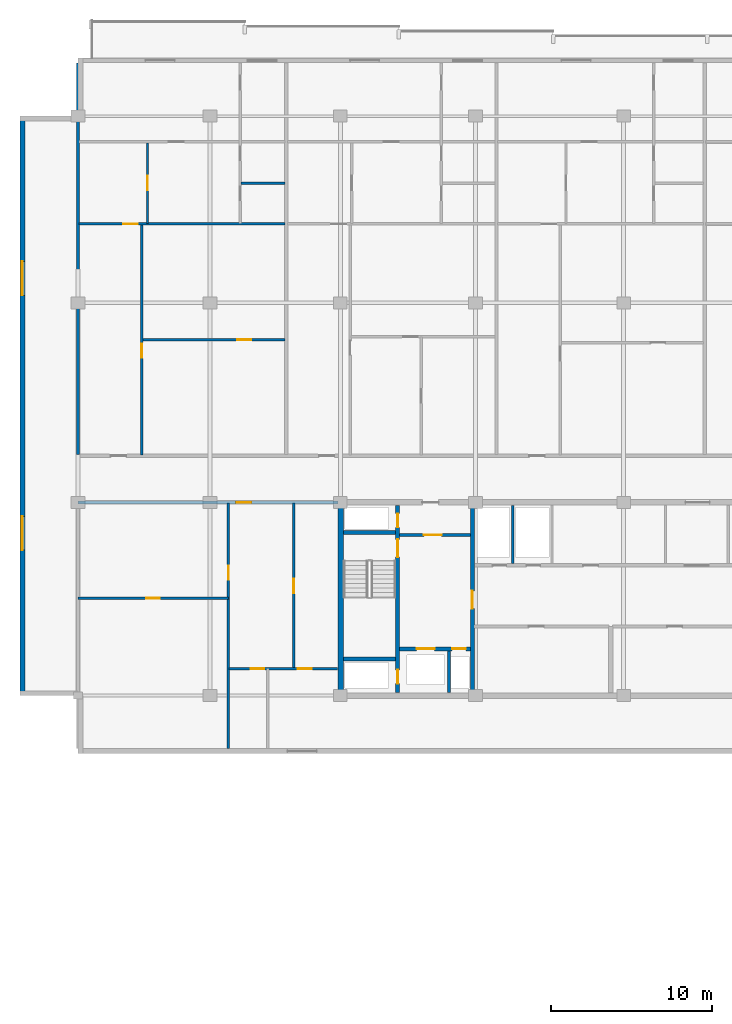
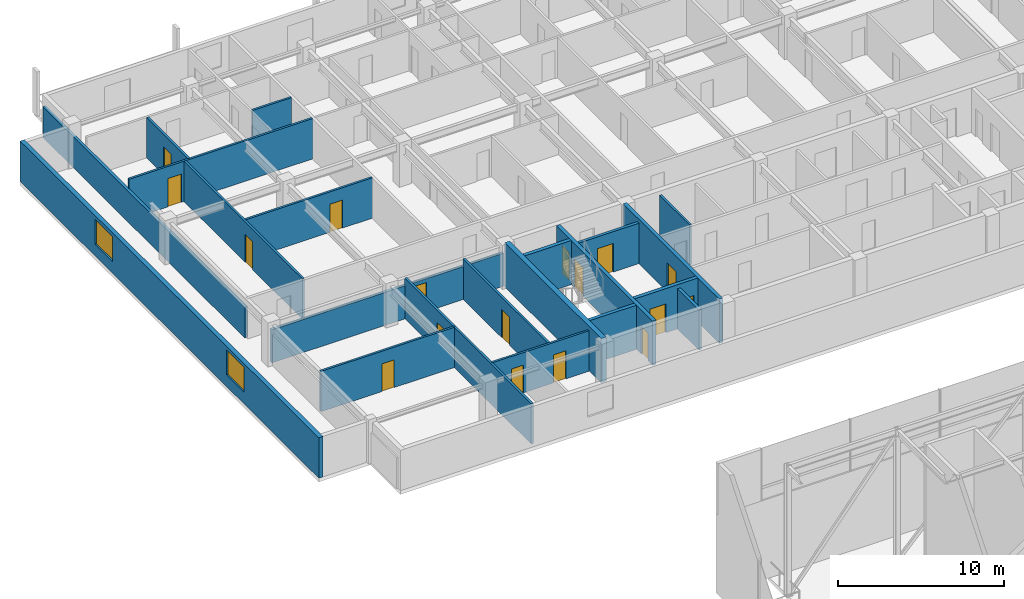
# One storey, part 34 of 42: 21 walls, 17 doors, 2 windows, 19 openings.
"""IFC4 building model written with IfcOpenShell, lengths in metres."""

from ifc_helpers import new_model, si_unit, direction, frame, frame_2d, origin, place, context, subcontext, project, spatial, rectangle, extrude, material, layer, layer_set, type_object, element, fill, save


model = new_model("IFC4")

# Units and contexts
model_context = context("Model", 3, precision=1e-05, world=origin(), true_north=direction((0.0, 1.0)))
body_context = subcontext(model_context, "Body", "Model", "MODEL_VIEW")
ifc_project = project(units=[si_unit("LENGTHUNIT", "METRE"), si_unit("AREAUNIT", "SQUARE_METRE"), si_unit("VOLUMEUNIT", "CUBIC_METRE"), si_unit("PLANEANGLEUNIT", "RADIAN"), si_unit("MASSUNIT", "GRAM", prefix="KILO")], contexts=[model_context])

# Site, building, storey
site_placement = place(None, origin())
site = spatial("IfcSite", under=ifc_project, at=site_placement, CompositionType="ELEMENT")
building_placement = place(site_placement, origin())
building = spatial("IfcBuilding", under=site, at=building_placement, Name="Korimba Cascade Residences", CompositionType="ELEMENT")
storey_placement = place(building_placement, frame((0.0, 0.0, 207.60009765625)))
storey = spatial("IfcBuildingStorey", under=building, at=storey_placement, Name="L60", CompositionType="ELEMENT", Elevation=207.60009765625)

# Wall, openings, windows
ifc_material_1 = material(Name="Precast concrete C40/50", Category="concrete")
ifc_layer_1 = layer(ifc_material_1, 0.300048828125)
ifc_layer_set_1 = layer_set([ifc_layer_1], Name="Precast concrete C40/50")
wall_type_1 = type_object("IfcWallType", Name="EW-STONE-300", PredefinedType="STANDARD", material=ifc_layer_set_1)
wall_1_placement = place(storey_placement, frame((56.35009765625, 91.199951171875, 0.0), z_axis=(0.0, 0.0, 1.0), x_axis=(0.0, -1.0, 0.0)))
wall_1 = element("IfcWall", 1, at=wall_1_placement, inside=storey, type_object=wall_type_1, Name="L60 T1 Perimeter Stone Wall E09", PredefinedType="STANDARD", context=body_context, shape_type="SweptSolid", body=[
    extrude(rectangle(XDim=36.0, YDim=0.300048828125, at=frame_2d((18.0, 0.0))), origin(), (0.0, 0.0, 1.0), 2.969970703125),
])
opening_1_placement = place(wall_1_placement, frame((9.030029296875, 0.0, 0.85009765625)))
opening_1 = element("IfcOpeningElement", 2, at=opening_1_placement, cuts=wall_1, Name="Opening W-03", PredefinedType="OPENING", context=body_context, shape_type="SweptSolid", body=[
    extrude(rectangle(XDim=2.10009765625, YDim=1.85009765625, at=frame_2d((1.050048828125, 0.925048828125))), frame((0.0, 0.16015625, 0.0), z_axis=(0.0, -1.0, 0.0), x_axis=(1.0, 0.0, 0.0)), (0.0, 0.0, 1.0), 0.320068359375),
])
opening_2_placement = place(wall_1_placement, frame((24.8701171875, 0.0, 0.85009765625)))
opening_2 = element("IfcOpeningElement", 3, at=opening_2_placement, cuts=wall_1, Name="Opening W-03", PredefinedType="OPENING", context=body_context, shape_type="SweptSolid", body=[
    extrude(rectangle(XDim=2.10009765625, YDim=1.85009765625, at=frame_2d((1.050048828125, 0.925048828125))), frame((0.0, 0.16015625, 0.0), z_axis=(0.0, -1.0, 0.0), x_axis=(1.0, 0.0, 0.0)), (0.0, 0.0, 1.0), 0.320068359375),
])
ifc_material_2 = material(Name="Double-Glazed Aluminium Window", Category="aluminium")
window_type = type_object("IfcWindowType", Name="WIN-CRN-2100", PartitioningType="DOUBLE_PANEL_HORIZONTAL", PredefinedType="WINDOW", material=ifc_material_2)
window_1_placement = place(opening_1_placement, origin())
window_1 = element("IfcWindow", 4, at=window_1_placement, inside=storey, type_object=window_type, Name="L60 T1 End View Window 9.1", OverallHeight=1.85009765625, OverallWidth=2.10009765625, PartitioningType="DOUBLE_PANEL_HORIZONTAL", PredefinedType="WINDOW", context=body_context, shape_type="SweptSolid", body=[
    extrude(rectangle(XDim=2.10009765625, YDim=1.85009765625, at=frame_2d((1.050048828125, 0.925048828125))), frame((0.0, 0.030029296875, 0.0), z_axis=(0.0, -1.0, 0.0), x_axis=(1.0, 0.0, 0.0)), (0.0, 0.0, 1.0), 0.06005859375),
])
fill(opening_1, window_1)
window_2_placement = place(opening_2_placement, origin())
window_2 = element("IfcWindow", 5, at=window_2_placement, inside=storey, type_object=window_type, Name="L60 T1 End View Window 9.2", OverallHeight=1.85009765625, OverallWidth=2.10009765625, PartitioningType="DOUBLE_PANEL_HORIZONTAL", PredefinedType="WINDOW", context=body_context, shape_type="SweptSolid", body=[
    extrude(rectangle(XDim=2.10009765625, YDim=1.85009765625, at=frame_2d((1.050048828125, 0.925048828125))), frame((0.0, 0.030029296875, 0.0), z_axis=(0.0, -1.0, 0.0), x_axis=(1.0, 0.0, 0.0)), (0.0, 0.0, 1.0), 0.06005859375),
])
fill(opening_2, window_2)

# Wall
ifc_material_3 = material(Name="Concrete C65/80", Category="concrete")
ifc_layer_2 = layer(ifc_material_3, 0.35009765625)
ifc_layer_set_2 = layer_set([ifc_layer_2], Name="Concrete C65/80")
wall_type_2 = type_object("IfcWallType", Name="WAL-CORE-350", PredefinedType="SHEAR", material=ifc_layer_set_2)
wall_2_placement = place(storey_placement, frame((76.125, 55.375, 0.0), z_axis=(0.0, 0.0, 1.0), x_axis=(0.0, 1.0, 0.0)))
element("IfcWall", 6, at=wall_2_placement, inside=storey, type_object=wall_type_2, Name="L60 Core Shear Wall CW-L60-T1-W", PredefinedType="SHEAR", context=body_context, shape_type="SweptSolid", body=[
    extrude(rectangle(XDim=11.64990234375, YDim=0.35009765625, at=frame_2d((5.824951171875, 0.0))), origin(), (0.0, 0.0, 1.0), 3.25),
])

# Wall, opening, door
ifc_layer_3 = layer(ifc_material_1, 0.199951171875)
ifc_layer_set_3 = layer_set([ifc_layer_3], Name="Precast concrete C40/50")
wall_type_3 = type_object("IfcWallType", Name="WAL-IT-200", PredefinedType="PARTITIONING", material=ifc_layer_set_3)
wall_3_placement = place(storey_placement, frame((59.800048828125, 67.199951171875, 0.0), z_axis=(0.0, 0.0, 1.0), x_axis=(1.0, 0.0, 0.0)))
wall_3 = element("IfcWall", 7, at=wall_3_placement, inside=storey, type_object=wall_type_3, Name="L60 Partition Wall WAL-L60-T1-FW-N", PredefinedType="PARTITIONING", context=body_context, shape_type="SweptSolid", body=[
    extrude(rectangle(XDim=16.14990234375, YDim=0.199951171875, at=frame_2d((8.074951171875, 0.0))), origin(), (0.0, 0.0, 1.0), 2.43310546875),
])
opening_3_placement = place(wall_3_placement, frame((9.823486328125, 0.0, 0.0)))
opening_3 = element("IfcOpeningElement", 8, at=opening_3_placement, cuts=wall_3, Name="Opening D-UN1", PredefinedType="OPENING", context=body_context, shape_type="SweptSolid", body=[
    extrude(rectangle(XDim=0.949951171875, YDim=2.14990234375, at=frame_2d((0.47509765625, 1.074951171875))), frame((0.0, 0.10986328125, 0.0), z_axis=(0.0, -1.0, 0.0), x_axis=(1.0, 0.0, 0.0)), (0.0, 0.0, 1.0), 0.219970703125),
])
ifc_material_4 = material(Name="Fire-Rated Hardwood Apartment Entrance Door", Category="wood")
door_type_1 = type_object("IfcDoorType", Name="DR-FD60-950", OperationType="NOTDEFINED", PredefinedType="DOOR", material=ifc_material_4)
door_1_placement = place(opening_3_placement, origin())
door_1 = element("IfcDoor", 9, at=door_1_placement, inside=storey, type_object=door_type_1, Name="L60-T1-FW Entrance Door", OperationType="SINGLE_SWING_RIGHT", OverallHeight=2.14990234375, OverallWidth=0.949951171875, PredefinedType="DOOR", context=body_context, shape_type="SweptSolid", body=[
    extrude(rectangle(XDim=0.949951171875, YDim=2.14990234375, at=frame_2d((0.47509765625, 1.074951171875))), frame((0.0, 0.02490234375, 0.0), z_axis=(0.0, -1.0, 0.0), x_axis=(1.0, 0.0, 0.0)), (0.0, 0.0, 1.0), 0.050048828125),
])
fill(opening_3, door_1)

# Walls
wall_4_placement = place(storey_placement, frame((59.800048828125, 70.179931640625, 0.0), z_axis=(0.0, 0.0, 1.0), x_axis=(0.0, 1.0, 0.0)))
element("IfcWall", 10, at=wall_4_placement, inside=storey, type_object=wall_type_3, Name="L60 Partition Wall WAL-L60-T1-BNDWL", PredefinedType="PARTITIONING", context=body_context, shape_type="SweptSolid", body=[
    extrude(rectangle(XDim=24.320068359375, YDim=0.199951171875, at=frame_2d((12.16015625, 0.0))), origin(), (0.0, 0.0, 1.0), 2.277099609375),
])
ifc_material_5 = material(Name="Insulated Acoustic Stud Partition", Category="gypsum")
ifc_layer_4 = layer(ifc_material_5, 0.14990234375)
ifc_layer_set_4 = layer_set([ifc_layer_4], Name="Insulated Acoustic Stud Partition")
wall_type_4 = type_object("IfcWallType", Name="WAL-PART-150", PredefinedType="PARTITIONING", material=ifc_layer_set_4)
wall_5_placement = place(storey_placement, frame((86.800048828125, 63.39990234375, 0.0), z_axis=(0.0, 0.0, 1.0), x_axis=(0.0, 1.0, 0.0)))
element("IfcWall", 11, at=wall_5_placement, inside=storey, type_object=wall_type_4, Name="L60 Partition Wall CW-L60-T1-ERDIV", PredefinedType="PARTITIONING", context=body_context, shape_type="SweptSolid", body=[
    extrude(rectangle(XDim=3.60009765625, YDim=0.14990234375, at=frame_2d((1.800048828125, 0.0))), origin(), (0.0, 0.0, 1.0), 2.969970703125),
])

# Wall, opening, door
wall_6_placement = place(storey_placement, frame((59.800048828125, 61.25, 0.0), z_axis=(0.0, 0.0, 1.0), x_axis=(1.0, 0.0, 0.0)))
wall_6 = element("IfcWall", 12, at=wall_6_placement, inside=storey, type_object=wall_type_4, Name="L60 Partition Wall WAL-L60-T1-FW-STH", PredefinedType="PARTITIONING", context=body_context, shape_type="SweptSolid", body=[
    extrude(rectangle(XDim=9.349853515625, YDim=0.14990234375, at=frame_2d((4.6748046875, 0.0))), origin(), (0.0, 0.0, 1.0), 2.969970703125),
])
opening_4_placement = place(wall_6_placement, frame((4.2548828125, 0.0, 0.0)))
opening_4 = element("IfcOpeningElement", 13, at=opening_4_placement, cuts=wall_6, Name="Opening D-BT1", PredefinedType="OPENING", context=body_context, shape_type="SweptSolid", body=[
    extrude(rectangle(XDim=0.840087890625, YDim=2.0400390625, at=frame_2d((0.419921875, 1.02001953125))), frame((0.0, 0.0849609375, 0.0), z_axis=(0.0, -1.0, 0.0), x_axis=(1.0, 0.0, 0.0)), (0.0, 0.0, 1.0), 0.169921875),
])
ifc_material_6 = material(Name="Moisture-Resistant Bathroom Timber Door", Category="wood")
door_type_2 = type_object("IfcDoorType", Name="DR-INT-850", OperationType="NOTDEFINED", PredefinedType="DOOR", material=ifc_material_6)
door_2_placement = place(opening_4_placement, origin())
door_2 = element("IfcDoor", 14, at=door_2_placement, inside=storey, type_object=door_type_2, Name="L60-T1-FW Dressing Store Door", OperationType="SINGLE_SWING_LEFT", OverallHeight=2.0400390625, OverallWidth=0.840087890625, PredefinedType="DOOR", context=body_context, shape_type="SweptSolid", body=[
    extrude(rectangle(XDim=0.840087890625, YDim=2.0400390625, at=frame_2d((0.419921875, 1.02001953125))), frame((0.0, 0.02490234375, 0.0), z_axis=(0.0, -1.0, 0.0), x_axis=(1.0, 0.0, 0.0)), (0.0, 0.0, 1.0), 0.050048828125),
])
fill(opening_4, door_2)

wall_7_placement = place(storey_placement, frame((69.14990234375, 51.89990234375, 0.0), z_axis=(0.0, 0.0, 1.0), x_axis=(0.0, 1.0, 0.0)))
wall_7 = element("IfcWall", 15, at=wall_7_placement, inside=storey, type_object=wall_type_4, Name="L60 Partition Wall WAL-L60-T1-FW-STV", PredefinedType="PARTITIONING", context=body_context, shape_type="SweptSolid", body=[
    extrude(rectangle(XDim=15.25, YDim=0.14990234375, at=frame_2d((7.625, 0.0))), origin(), (0.0, 0.0, 1.0), 2.969970703125),
])
opening_5_placement = place(wall_7_placement, frame((10.5, 0.0, 0.0)))
opening_5 = element("IfcOpeningElement", 16, at=opening_5_placement, cuts=wall_7, Name="Opening D-IN2", PredefinedType="OPENING", context=body_context, shape_type="SweptSolid", body=[
    extrude(rectangle(XDim=0.8798828125, YDim=2.06005859375, at=frame_2d((0.43994140625, 1.030029296875))), frame((0.0, 0.0849609375, 0.0), z_axis=(0.0, -1.0, 0.0), x_axis=(1.0, 0.0, 0.0)), (0.0, 0.0, 1.0), 0.169921875),
])
ifc_material_7 = material(Name="Acoustic Timber Bedroom Door", Category="wood")
door_type_3 = type_object("IfcDoorType", Name="DR-INT-880", OperationType="NOTDEFINED", PredefinedType="DOOR", material=ifc_material_7)
door_3_placement = place(opening_5_placement, origin())
door_3 = element("IfcDoor", 17, at=door_3_placement, inside=storey, type_object=door_type_3, Name="L60-T1-FW Study Door", OperationType="SINGLE_SWING_RIGHT", OverallHeight=2.06005859375, OverallWidth=0.8798828125, PredefinedType="DOOR", context=body_context, shape_type="SweptSolid", body=[
    extrude(rectangle(XDim=0.8798828125, YDim=2.06005859375, at=frame_2d((0.43994140625, 1.030029296875))), frame((0.0, 0.02490234375, 0.0), z_axis=(0.0, -1.0, 0.0), x_axis=(1.0, 0.0, 0.0)), (0.0, 0.0, 1.0), 0.050048828125),
])
fill(opening_5, door_3)

wall_8_placement = place(storey_placement, frame((73.199951171875, 56.8701171875, 0.0), z_axis=(0.0, 0.0, 1.0), x_axis=(0.0, 1.0, 0.0)))
wall_8 = element("IfcWall", 18, at=wall_8_placement, inside=storey, type_object=wall_type_4, Name="L60 Partition Wall WAL-L60-T1-FW-VN", PredefinedType="PARTITIONING", context=body_context, shape_type="SweptSolid", body=[
    extrude(rectangle(XDim=10.27978515625, YDim=0.14990234375, at=frame_2d((5.139892578125, 0.0))), origin(), (0.0, 0.0, 1.0), 2.969970703125),
])
opening_6_placement = place(wall_8_placement, frame((4.679931640625, 0.0, 0.0)))
opening_6 = element("IfcOpeningElement", 19, at=opening_6_placement, cuts=wall_8, Name="Opening D-IN1", PredefinedType="OPENING", context=body_context, shape_type="SweptSolid", body=[
    extrude(rectangle(XDim=0.919921875, YDim=2.080078125, at=frame_2d((0.4599609375, 1.0400390625))), frame((0.0, 0.0849609375, 0.0), z_axis=(0.0, -1.0, 0.0), x_axis=(1.0, 0.0, 0.0)), (0.0, 0.0, 1.0), 0.169921875),
])
ifc_material_8 = material(Name="Acoustic Timber Living Door", Category="wood")
door_type_4 = type_object("IfcDoorType", Name="DR-INT-920", OperationType="NOTDEFINED", PredefinedType="DOOR", material=ifc_material_8)
door_4_placement = place(opening_6_placement, origin())
door_4 = element("IfcDoor", 20, at=door_4_placement, inside=storey, type_object=door_type_4, Name="L60-T1-FW Living Door", OperationType="SINGLE_SWING_LEFT", OverallHeight=2.080078125, OverallWidth=0.919921875, PredefinedType="DOOR", context=body_context, shape_type="SweptSolid", body=[
    extrude(rectangle(XDim=0.919921875, YDim=2.080078125, at=frame_2d((0.4599609375, 1.0400390625))), frame((0.0, 0.02490234375, 0.0), z_axis=(0.0, -1.0, 0.0), x_axis=(1.0, 0.0, 0.0)), (0.0, 0.0, 1.0), 0.050048828125),
])
fill(opening_6, door_4)

# Wall, openings, doors
wall_9_placement = place(storey_placement, frame((69.169921875, 56.8701171875, 0.0), z_axis=(0.0, 0.0, 1.0), x_axis=(1.0, 0.0, 0.0)))
wall_9 = element("IfcWall", 21, at=wall_9_placement, inside=storey, type_object=wall_type_4, Name="L60 Partition Wall WAL-L60-T1-FW-H", PredefinedType="PARTITIONING", context=body_context, shape_type="SweptSolid", body=[
    extrude(rectangle(XDim=6.760009765625, YDim=0.14990234375, at=frame_2d((3.3798828125, 0.0))), origin(), (0.0, 0.0, 1.0), 2.969970703125),
])
opening_7_placement = place(wall_9_placement, frame((1.3623046875, 0.0, 0.0)))
opening_7 = element("IfcOpeningElement", 22, at=opening_7_placement, cuts=wall_9, Name="Opening D-BT1", PredefinedType="OPENING", context=body_context, shape_type="SweptSolid", body=[
    extrude(rectangle(XDim=0.840087890625, YDim=2.0400390625, at=frame_2d((0.419921875, 1.02001953125))), frame((0.0, 0.0849609375, 0.0), z_axis=(0.0, -1.0, 0.0), x_axis=(1.0, 0.0, 0.0)), (0.0, 0.0, 1.0), 0.169921875),
])
opening_8_placement = place(wall_9_placement, frame((4.276611328125, 0.0, 0.0)))
opening_8 = element("IfcOpeningElement", 23, at=opening_8_placement, cuts=wall_9, Name="Opening D-IN2", PredefinedType="OPENING", context=body_context, shape_type="SweptSolid", body=[
    extrude(rectangle(XDim=0.8798828125, YDim=2.06005859375, at=frame_2d((0.43994140625, 1.030029296875))), frame((0.0, 0.0849609375, 0.0), z_axis=(0.0, -1.0, 0.0), x_axis=(1.0, 0.0, 0.0)), (0.0, 0.0, 1.0), 0.169921875),
])
door_5_placement = place(opening_7_placement, origin())
door_5 = element("IfcDoor", 24, at=door_5_placement, inside=storey, type_object=door_type_2, Name="L60-T1-FW Bathroom Door", OperationType="SINGLE_SWING_RIGHT", OverallHeight=2.0400390625, OverallWidth=0.840087890625, PredefinedType="DOOR", context=body_context, shape_type="SweptSolid", body=[
    extrude(rectangle(XDim=0.840087890625, YDim=2.0400390625, at=frame_2d((0.419921875, 1.02001953125))), frame((0.0, 0.02490234375, 0.0), z_axis=(0.0, -1.0, 0.0), x_axis=(1.0, 0.0, 0.0)), (0.0, 0.0, 1.0), 0.050048828125),
])
fill(opening_7, door_5)
door_6_placement = place(opening_8_placement, origin())
door_6 = element("IfcDoor", 25, at=door_6_placement, inside=storey, type_object=door_type_3, Name="L60-T1-FW Bedroom Door", OperationType="SINGLE_SWING_LEFT", OverallHeight=2.06005859375, OverallWidth=0.8798828125, PredefinedType="DOOR", context=body_context, shape_type="SweptSolid", body=[
    extrude(rectangle(XDim=0.8798828125, YDim=2.06005859375, at=frame_2d((0.43994140625, 1.030029296875))), frame((0.0, 0.02490234375, 0.0), z_axis=(0.0, -1.0, 0.0), x_axis=(1.0, 0.0, 0.0)), (0.0, 0.0, 1.0), 0.050048828125),
])
fill(opening_8, door_6)

# Wall, opening, door
wall_10_placement = place(storey_placement, frame((63.830078125, 77.31005859375, 0.0), z_axis=(0.0, 0.0, 1.0), x_axis=(1.0, 0.0, 0.0)))
wall_10 = element("IfcWall", 26, at=wall_10_placement, inside=storey, type_object=wall_type_4, Name="L60 Partition Wall WAL-L60-T1-U01-FMH", PredefinedType="PARTITIONING", context=body_context, shape_type="SweptSolid", body=[
    extrude(rectangle(XDim=8.825927734375, YDim=0.14990234375, at=frame_2d((4.4130859375, 0.0))), origin(), (0.0, 0.0, 1.0), 2.969970703125),
])
opening_9_placement = place(wall_10_placement, frame((5.85693359375, 0.0, 0.0)))
opening_9 = element("IfcOpeningElement", 27, at=opening_9_placement, cuts=wall_10, Name="Opening D-IN2", PredefinedType="OPENING", context=body_context, shape_type="SweptSolid", body=[
    extrude(rectangle(XDim=0.8798828125, YDim=2.06005859375, at=frame_2d((0.43994140625, 1.030029296875))), frame((0.0, 0.0849609375, 0.0), z_axis=(0.0, -1.0, 0.0), x_axis=(1.0, 0.0, 0.0)), (0.0, 0.0, 1.0), 0.169921875),
])
door_7_placement = place(opening_9_placement, origin())
door_7 = element("IfcDoor", 28, at=door_7_placement, inside=storey, type_object=door_type_3, Name="L60-T1-U01 Library Salon Door", OperationType="SINGLE_SWING_LEFT", OverallHeight=2.06005859375, OverallWidth=0.8798828125, PredefinedType="DOOR", context=body_context, shape_type="SweptSolid", body=[
    extrude(rectangle(XDim=0.8798828125, YDim=2.06005859375, at=frame_2d((0.43994140625, 1.030029296875))), frame((0.0, 0.02490234375, 0.0), z_axis=(0.0, -1.0, 0.0), x_axis=(1.0, 0.0, 0.0)), (0.0, 0.0, 1.0), 0.050048828125),
])
fill(opening_9, door_7)

wall_11_placement = place(storey_placement, frame((63.77001953125, 70.159912109375, 0.0), z_axis=(0.0, 0.0, 1.0), x_axis=(0.0, 1.0, 0.0)))
wall_11 = element("IfcWall", 29, at=wall_11_placement, inside=storey, type_object=wall_type_4, Name="L60 Partition Wall WAL-L60-T1-U01-FV", PredefinedType="PARTITIONING", context=body_context, shape_type="SweptSolid", body=[
    extrude(rectangle(XDim=14.300048828125, YDim=0.14990234375, at=frame_2d((7.14990234375, 0.0))), origin(), (0.0, 0.0, 1.0), 2.969970703125),
])
opening_10_placement = place(wall_11_placement, frame((6.02001953125, 0.0, 0.0)))
opening_10 = element("IfcOpeningElement", 30, at=opening_10_placement, cuts=wall_11, Name="Opening D-IN2", PredefinedType="OPENING", context=body_context, shape_type="SweptSolid", body=[
    extrude(rectangle(XDim=0.8798828125, YDim=2.06005859375, at=frame_2d((0.43994140625, 1.030029296875))), frame((0.0, 0.0849609375, 0.0), z_axis=(0.0, -1.0, 0.0), x_axis=(1.0, 0.0, 0.0)), (0.0, 0.0, 1.0), 0.169921875),
])
door_8_placement = place(opening_10_placement, origin())
door_8 = element("IfcDoor", 31, at=door_8_placement, inside=storey, type_object=door_type_3, Name="L60-T1-U01 Media Lounge Door", OperationType="SINGLE_SWING_RIGHT", OverallHeight=2.06005859375, OverallWidth=0.8798828125, PredefinedType="DOOR", context=body_context, shape_type="SweptSolid", body=[
    extrude(rectangle(XDim=0.8798828125, YDim=2.06005859375, at=frame_2d((0.43994140625, 1.030029296875))), frame((0.0, 0.02490234375, 0.0), z_axis=(0.0, -1.0, 0.0), x_axis=(1.0, 0.0, 0.0)), (0.0, 0.0, 1.0), 0.050048828125),
])
fill(opening_10, door_8)

wall_12_placement = place(storey_placement, frame((64.1201171875, 84.5400390625, 0.0), z_axis=(0.0, 0.0, 1.0), x_axis=(0.0, 1.0, 0.0)))
wall_12 = element("IfcWall", 32, at=wall_12_placement, inside=storey, type_object=wall_type_4, Name="L60 Partition Wall WAL-L60-T1-U01-VDIN", PredefinedType="PARTITIONING", context=body_context, shape_type="SweptSolid", body=[
    extrude(rectangle(XDim=5.0, YDim=0.14990234375, at=frame_2d((2.5, 0.0))), origin(), (0.0, 0.0, 1.0), 2.969970703125),
])
opening_11_placement = place(wall_12_placement, frame((2.06005859375, 0.0, 0.0)))
opening_11 = element("IfcOpeningElement", 33, at=opening_11_placement, cuts=wall_12, Name="Opening D-IN2", PredefinedType="OPENING", context=body_context, shape_type="SweptSolid", body=[
    extrude(rectangle(XDim=0.8798828125, YDim=2.06005859375, at=frame_2d((0.43994140625, 1.030029296875))), frame((0.0, 0.0849609375, 0.0), z_axis=(0.0, -1.0, 0.0), x_axis=(1.0, 0.0, 0.0)), (0.0, 0.0, 1.0), 0.169921875),
])
door_9_placement = place(opening_11_placement, origin())
door_9 = element("IfcDoor", 34, at=door_9_placement, inside=storey, type_object=door_type_3, Name="L60-T1-U01 Dining Room Door", OperationType="SINGLE_SWING_LEFT", OverallHeight=2.06005859375, OverallWidth=0.8798828125, PredefinedType="DOOR", context=body_context, shape_type="SweptSolid", body=[
    extrude(rectangle(XDim=0.8798828125, YDim=2.06005859375, at=frame_2d((0.43994140625, 1.030029296875))), frame((0.0, 0.02490234375, 0.0), z_axis=(0.0, -1.0, 0.0), x_axis=(1.0, 0.0, 0.0)), (0.0, 0.0, 1.0), 0.050048828125),
])
fill(opening_11, door_9)

# Wall
wall_13_placement = place(storey_placement, frame((69.93994140625, 87.0400390625, 0.0), z_axis=(0.0, 0.0, 1.0), x_axis=(1.0, 0.0, 0.0)))
element("IfcWall", 35, at=wall_13_placement, inside=storey, type_object=wall_type_4, Name="L60 Partition Wall WAL-L60-T1-U01-BLDIV", PredefinedType="PARTITIONING", context=body_context, shape_type="SweptSolid", body=[
    extrude(rectangle(XDim=2.716064453125, YDim=0.14990234375, at=frame_2d((1.35791015625, 0.0))), origin(), (0.0, 0.0, 1.0), 2.969970703125),
])

# Wall, opening, door
wall_14_placement = place(storey_placement, frame((59.8798828125, 84.5, 0.0), z_axis=(0.0, 0.0, 1.0), x_axis=(1.0, 0.0, 0.0)))
wall_14 = element("IfcWall", 36, at=wall_14_placement, inside=storey, type_object=wall_type_4, Name="L60 Partition Wall WAL-L60-T1-U01-MW", PredefinedType="PARTITIONING", context=body_context, shape_type="SweptSolid", body=[
    extrude(rectangle(XDim=12.776123046875, YDim=0.14990234375, at=frame_2d((6.38818359375, 0.0))), origin(), (0.0, 0.0, 1.0), 2.969970703125),
])
opening_12_placement = place(wall_14_placement, frame((2.719970703125, 0.0, 0.0)))
opening_12 = element("IfcOpeningElement", 37, at=opening_12_placement, cuts=wall_14, Name="Opening D-IN1", PredefinedType="OPENING", context=body_context, shape_type="SweptSolid", body=[
    extrude(rectangle(XDim=0.919921875, YDim=2.080078125, at=frame_2d((0.4599609375, 1.0400390625))), frame((0.0, 0.0849609375, 0.0), z_axis=(0.0, -1.0, 0.0), x_axis=(1.0, 0.0, 0.0)), (0.0, 0.0, 1.0), 0.169921875),
])
door_10_placement = place(opening_12_placement, origin())
door_10 = element("IfcDoor", 38, at=door_10_placement, inside=storey, type_object=door_type_4, Name="L60-T1-U01 Kitchen Archway Door", OperationType="SINGLE_SWING_LEFT", OverallHeight=2.080078125, OverallWidth=0.919921875, PredefinedType="DOOR", context=body_context, shape_type="SweptSolid", body=[
    extrude(rectangle(XDim=0.919921875, YDim=2.080078125, at=frame_2d((0.4599609375, 1.0400390625))), frame((0.0, 0.02490234375, 0.0), z_axis=(0.0, -1.0, 0.0), x_axis=(1.0, 0.0, 0.0)), (0.0, 0.0, 1.0), 0.050048828125),
])
fill(opening_12, door_10)

# Wall
ifc_material_9 = material(Name="Concrete C40/50", Category="concrete")
ifc_layer_5 = layer(ifc_material_9, 0.199951171875)
ifc_layer_set_5 = layer_set([ifc_layer_5], Name="Concrete C40/50")
wall_type_5 = type_object("IfcWallType", Name="WAL-PART-200", PredefinedType="PARTITIONING", material=ifc_layer_set_5)
wall_15_placement = place(storey_placement, frame((82.85009765625, 55.39990234375, 0.0), z_axis=(0.0, 0.0, 1.0), x_axis=(0.0, 1.0, 0.0)))
element("IfcWall", 39, at=wall_15_placement, inside=storey, type_object=wall_type_5, Name="L60 Partition Wall CW-L60-T1-FFLDIV", PredefinedType="PARTITIONING", context=body_context, shape_type="SweptSolid", body=[
    extrude(rectangle(XDim=2.56005859375, YDim=0.199951171875, at=frame_2d((1.280029296875, 0.0))), origin(), (0.0, 0.0, 1.0), 2.969970703125),
])

# Wall, opening, door
wall_16_placement = place(storey_placement, frame((79.7900390625, 65.179931640625, 0.0), z_axis=(0.0, 0.0, 1.0), x_axis=(1.0, 0.0, 0.0)))
wall_16 = element("IfcWall", 40, at=wall_16_placement, inside=storey, type_object=wall_type_5, Name="L60 Partition Wall CW-L60-T1-FFLN", PredefinedType="PARTITIONING", context=body_context, shape_type="SweptSolid", body=[
    extrude(rectangle(XDim=4.389892578125, YDim=0.199951171875, at=frame_2d((2.19482421875, 0.0))), origin(), (0.0, 0.0, 1.0), 2.969970703125),
])
opening_13_placement = place(wall_16_placement, frame((1.5, 0.0, 0.0)))
opening_13 = element("IfcOpeningElement", 41, at=opening_13_placement, cuts=wall_16, Name="Opening D-FD1", PredefinedType="OPENING", context=body_context, shape_type="SweptSolid", body=[
    extrude(rectangle(XDim=1.10009765625, YDim=2.10009765625, at=frame_2d((0.550048828125, 1.050048828125))), frame((0.0, 0.10986328125, 0.0), z_axis=(0.0, -1.0, 0.0), x_axis=(1.0, 0.0, 0.0)), (0.0, 0.0, 1.0), 0.219970703125),
])
ifc_material_10 = material(Name="Fire-Rated Steel Core Door", Category="steel")
door_type_5 = type_object("IfcDoorType", Name="DR-FD120-1100", OperationType="NOTDEFINED", PredefinedType="DOOR", material=ifc_material_10)
door_11_placement = place(opening_13_placement, origin())
door_11 = element("IfcDoor", 42, at=door_11_placement, inside=storey, type_object=door_type_5, Name="L60 West Firefighting Lobby Door", OperationType="SINGLE_SWING_LEFT", OverallHeight=2.10009765625, OverallWidth=1.10009765625, PredefinedType="DOOR", context=body_context, shape_type="SweptSolid", body=[
    extrude(rectangle(XDim=1.10009765625, YDim=2.10009765625, at=frame_2d((0.550048828125, 1.050048828125))), frame((0.0, 0.02490234375, 0.0), z_axis=(0.0, -1.0, 0.0), x_axis=(1.0, 0.0, 0.0)), (0.0, 0.0, 1.0), 0.050048828125),
])
fill(opening_13, door_11)

# Wall, openings, doors
ifc_material_11 = material(Name="Concrete C50/60", Category="concrete")
ifc_layer_6 = layer(ifc_material_11, 0.25)
ifc_layer_set_6 = layer_set([ifc_layer_6], Name="Concrete C50/60")
wall_type_6 = type_object("IfcWallType", Name="WAL-SHAFT-250", PredefinedType="SHEAR", material=ifc_layer_set_6)
wall_17_placement = place(storey_placement, frame((79.6650390625, 55.39990234375, 0.0), z_axis=(0.0, 0.0, 1.0), x_axis=(0.0, 1.0, 0.0)))
wall_17 = element("IfcWall", 43, at=wall_17_placement, inside=storey, type_object=wall_type_6, Name="L60 Core Shear Wall CW-L60-T1-STW1E", PredefinedType="SHEAR", context=body_context, shape_type="SweptSolid", body=[
    extrude(rectangle(XDim=11.60009765625, YDim=0.25, at=frame_2d((5.800048828125, 0.0))), origin(), (0.0, 0.0, 1.0), 3.25),
])
opening_14_placement = place(wall_17_placement, frame((0.550048828125, 0.0, 0.0)))
opening_14 = element("IfcOpeningElement", 44, at=opening_14_placement, cuts=wall_17, Name="Opening D-RS1", PredefinedType="OPENING", context=body_context, shape_type="SweptSolid", body=[
    extrude(rectangle(XDim=0.85009765625, YDim=2.050048828125, at=frame_2d((0.425048828125, 1.02490234375))), frame((0.0, 0.135009765625, 0.0), z_axis=(0.0, -1.0, 0.0), x_axis=(1.0, 0.0, 0.0)), (0.0, 0.0, 1.0), 0.27001953125),
])
opening_15_placement = place(wall_17_placement, frame((8.39990234375, 0.0, 0.0)))
opening_15 = element("IfcOpeningElement", 45, at=opening_15_placement, cuts=wall_17, Name="Opening D-FD1", PredefinedType="OPENING", context=body_context, shape_type="SweptSolid", body=[
    extrude(rectangle(XDim=1.10009765625, YDim=2.10009765625, at=frame_2d((0.550048828125, 1.050048828125))), frame((0.0, 0.135009765625, 0.0), z_axis=(0.0, -1.0, 0.0), x_axis=(1.0, 0.0, 0.0)), (0.0, 0.0, 1.0), 0.27001953125),
])
opening_16_placement = place(wall_17_placement, frame((10.25, 0.0, 0.0)))
opening_16 = element("IfcOpeningElement", 46, at=opening_16_placement, cuts=wall_17, Name="Opening D-RS1", PredefinedType="OPENING", context=body_context, shape_type="SweptSolid", body=[
    extrude(rectangle(XDim=0.85009765625, YDim=2.050048828125, at=frame_2d((0.425048828125, 1.02490234375))), frame((0.0, 0.135009765625, 0.0), z_axis=(0.0, -1.0, 0.0), x_axis=(1.0, 0.0, 0.0)), (0.0, 0.0, 1.0), 0.27001953125),
])
door_12_placement = place(opening_15_placement, origin())
door_12 = element("IfcDoor", 47, at=door_12_placement, inside=storey, type_object=door_type_5, Name="L60 Fire Stair ST-W1 Door", OperationType="SINGLE_SWING_RIGHT", OverallHeight=2.10009765625, OverallWidth=1.10009765625, PredefinedType="DOOR", context=body_context, shape_type="SweptSolid", body=[
    extrude(rectangle(XDim=1.10009765625, YDim=2.10009765625, at=frame_2d((0.550048828125, 1.050048828125))), frame((0.0, 0.02490234375, 0.0), z_axis=(0.0, -1.0, 0.0), x_axis=(1.0, 0.0, 0.0)), (0.0, 0.0, 1.0), 0.050048828125),
])
fill(opening_15, door_12)
ifc_material_12 = material(Name="Fire-Rated Steel Riser Access Door", Category="steel")
door_type_6 = type_object("IfcDoorType", Name="DR-FD60-850", OperationType="NOTDEFINED", PredefinedType="DOOR", material=ifc_material_12)
door_13_placement = place(opening_14_placement, origin())
door_13 = element("IfcDoor", 48, at=door_13_placement, inside=storey, type_object=door_type_6, Name="L60 Smoke Riser Access Door", OperationType="SINGLE_SWING_LEFT", OverallHeight=2.050048828125, OverallWidth=0.85009765625, PredefinedType="DOOR", context=body_context, shape_type="SweptSolid", body=[
    extrude(rectangle(XDim=0.85009765625, YDim=2.050048828125, at=frame_2d((0.425048828125, 1.02490234375))), frame((0.0, 0.02490234375, 0.0), z_axis=(0.0, -1.0, 0.0), x_axis=(1.0, 0.0, 0.0)), (0.0, 0.0, 1.0), 0.050048828125),
])
fill(opening_14, door_13)
door_14_placement = place(opening_16_placement, origin())
door_14 = element("IfcDoor", 49, at=door_14_placement, inside=storey, type_object=door_type_6, Name="L60 Hydrant Riser Access Door", OperationType="SINGLE_SWING_LEFT", OverallHeight=2.050048828125, OverallWidth=0.85009765625, PredefinedType="DOOR", context=body_context, shape_type="SweptSolid", body=[
    extrude(rectangle(XDim=0.85009765625, YDim=2.050048828125, at=frame_2d((0.425048828125, 1.02490234375))), frame((0.0, 0.02490234375, 0.0), z_axis=(0.0, -1.0, 0.0), x_axis=(1.0, 0.0, 0.0)), (0.0, 0.0, 1.0), 0.050048828125),
])
fill(opening_16, door_14)

# Walls
for number, where, z_axis, x_axis, name in (
    (50, (76.300048828125, 57.47509765625, 0.0), (0.0, 0.0, 1.0), (1.0, 0.0, 0.0), "L60 Core Shear Wall CW-L60-T1-STW1S"),
    (51, (76.300048828125, 65.324951171875, 0.0), (0.0, 0.0, 1.0), (1.0, 0.0, 0.0), "L60 Core Shear Wall CW-L60-T1-STW1N"),
):
    element("IfcWall", number, at=place(storey_placement, frame(where, z_axis=z_axis, x_axis=x_axis)), inside=storey, type_object=wall_type_6, Name=name, PredefinedType="SHEAR", context=body_context, shape_type="SweptSolid", body=[
        extrude(rectangle(XDim=3.239990234375, YDim=0.25, at=frame_2d((1.6201171875, 0.0))), origin(), (0.0, 0.0, 1.0), 3.25),
    ])

# Wall, openings, doors
wall_18_placement = place(storey_placement, frame((79.7900390625, 58.10009765625, 0.0), z_axis=(0.0, 0.0, 1.0), x_axis=(1.0, 0.0, 0.0)))
wall_18 = element("IfcWall", 52, at=wall_18_placement, inside=storey, type_object=wall_type_6, Name="L60 Core Shear Wall CW-L60-T1-FFLS", PredefinedType="SHEAR", context=body_context, shape_type="SweptSolid", body=[
    extrude(rectangle(XDim=4.389892578125, YDim=0.25, at=frame_2d((2.19482421875, 0.0))), origin(), (0.0, 0.0, 1.0), 3.25),
])
opening_17_placement = place(wall_18_placement, frame((1.050048828125, 0.0, 0.0)))
opening_17 = element("IfcOpeningElement", 53, at=opening_17_placement, cuts=wall_18, Name="Opening LD-01", PredefinedType="OPENING", context=body_context, shape_type="SweptSolid", body=[
    extrude(rectangle(XDim=1.1201171875, YDim=2.1201171875, at=frame_2d((0.56005859375, 1.06005859375))), frame((0.0, 0.135009765625, 0.0), z_axis=(0.0, -1.0, 0.0), x_axis=(1.0, 0.0, 0.0)), (0.0, 0.0, 1.0), 0.27001953125),
])
opening_18_placement = place(wall_18_placement, frame((3.260009765625, 0.0, 0.0)))
opening_18 = element("IfcOpeningElement", 54, at=opening_18_placement, cuts=wall_18, Name="Opening D-RS1", PredefinedType="OPENING", context=body_context, shape_type="SweptSolid", body=[
    extrude(rectangle(XDim=0.85009765625, YDim=2.050048828125, at=frame_2d((0.425048828125, 1.02490234375))), frame((0.0, 0.135009765625, 0.0), z_axis=(0.0, -1.0, 0.0), x_axis=(1.0, 0.0, 0.0)), (0.0, 0.0, 1.0), 0.27001953125),
])
door_15_placement = place(opening_18_placement, origin())
door_15 = element("IfcDoor", 55, at=door_15_placement, inside=storey, type_object=door_type_6, Name="L60 Pressurisation Riser Door", OperationType="SINGLE_SWING_RIGHT", OverallHeight=2.050048828125, OverallWidth=0.85009765625, PredefinedType="DOOR", context=body_context, shape_type="SweptSolid", body=[
    extrude(rectangle(XDim=0.85009765625, YDim=2.050048828125, at=frame_2d((0.425048828125, 1.02490234375))), frame((0.0, 0.02490234375, 0.0), z_axis=(0.0, -1.0, 0.0), x_axis=(1.0, 0.0, 0.0)), (0.0, 0.0, 1.0), 0.050048828125),
])
fill(opening_18, door_15)
ifc_material_13 = material(Name="Stainless Steel Lift Landing Sliding Door", Category="steel")
door_type_7 = type_object("IfcDoorType", Name="DR-LIFT-1100", OperationType="NOTDEFINED", PredefinedType="DOOR", material=ifc_material_13)
door_16_placement = place(opening_17_placement, origin())
door_16 = element("IfcDoor", 56, at=door_16_placement, inside=storey, type_object=door_type_7, Name="L60 Firefighting Lift Landing Door FFL-W1", OperationType="SLIDING_TO_LEFT", OverallHeight=2.1201171875, OverallWidth=1.1201171875, PredefinedType="DOOR", context=body_context, shape_type="SweptSolid", body=[
    extrude(rectangle(XDim=1.1201171875, YDim=2.1201171875, at=frame_2d((0.56005859375, 1.06005859375))), frame((0.0, 0.02490234375, 0.0), z_axis=(0.0, -1.0, 0.0), x_axis=(1.0, 0.0, 0.0)), (0.0, 0.0, 1.0), 0.050048828125),
])
fill(opening_17, door_16)

# Wall, opening, door
wall_19_placement = place(storey_placement, frame((84.300048828125, 55.39990234375, 0.0), z_axis=(0.0, 0.0, 1.0), x_axis=(0.0, 1.0, 0.0)))
wall_19 = element("IfcWall", 57, at=wall_19_placement, inside=storey, type_object=wall_type_6, Name="L60 Core Shear Wall CW-L60-T1-FFLE", PredefinedType="SHEAR", context=body_context, shape_type="SweptSolid", body=[
    extrude(rectangle(XDim=11.60009765625, YDim=0.25, at=frame_2d((5.800048828125, 0.0))), origin(), (0.0, 0.0, 1.0), 3.25),
])
opening_19_placement = place(wall_19_placement, frame((5.199951171875, 0.0, 0.0)))
opening_19 = element("IfcOpeningElement", 58, at=opening_19_placement, cuts=wall_19, Name="Opening D-FD1", PredefinedType="OPENING", context=body_context, shape_type="SweptSolid", body=[
    extrude(rectangle(XDim=1.10009765625, YDim=2.10009765625, at=frame_2d((0.550048828125, 1.050048828125))), frame((0.0, 0.135009765625, 0.0), z_axis=(0.0, -1.0, 0.0), x_axis=(1.0, 0.0, 0.0)), (0.0, 0.0, 1.0), 0.27001953125),
])
door_17_placement = place(opening_19_placement, origin())
door_17 = element("IfcDoor", 59, at=door_17_placement, inside=storey, type_object=door_type_5, Name="L60 Firefighting Lobby to Lift Lobby Door", OperationType="SINGLE_SWING_RIGHT", OverallHeight=2.10009765625, OverallWidth=1.10009765625, PredefinedType="DOOR", context=body_context, shape_type="SweptSolid", body=[
    extrude(rectangle(XDim=1.10009765625, YDim=2.10009765625, at=frame_2d((0.550048828125, 1.050048828125))), frame((0.0, 0.02490234375, 0.0), z_axis=(0.0, -1.0, 0.0), x_axis=(1.0, 0.0, 0.0)), (0.0, 0.0, 1.0), 0.050048828125),
])
fill(opening_19, door_17)

save(model, "model.ifc")
